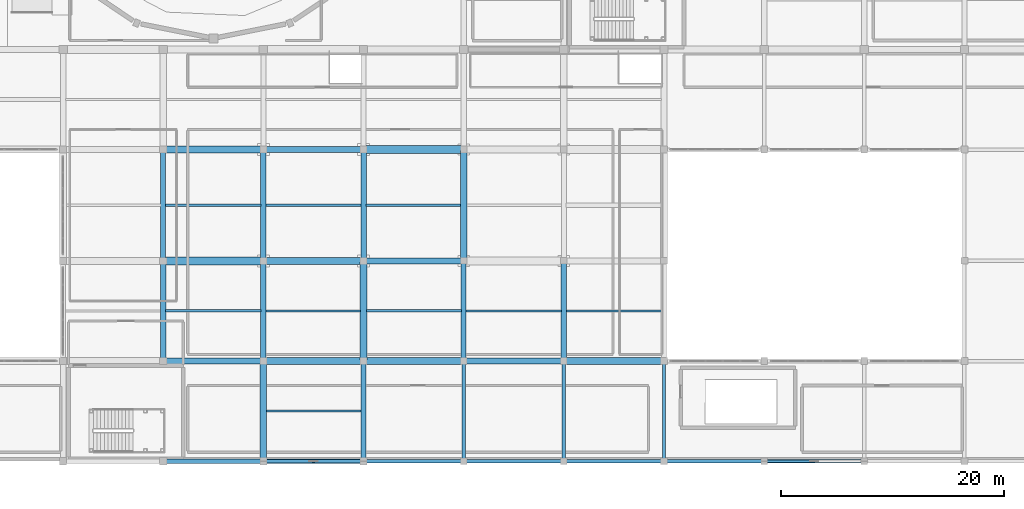
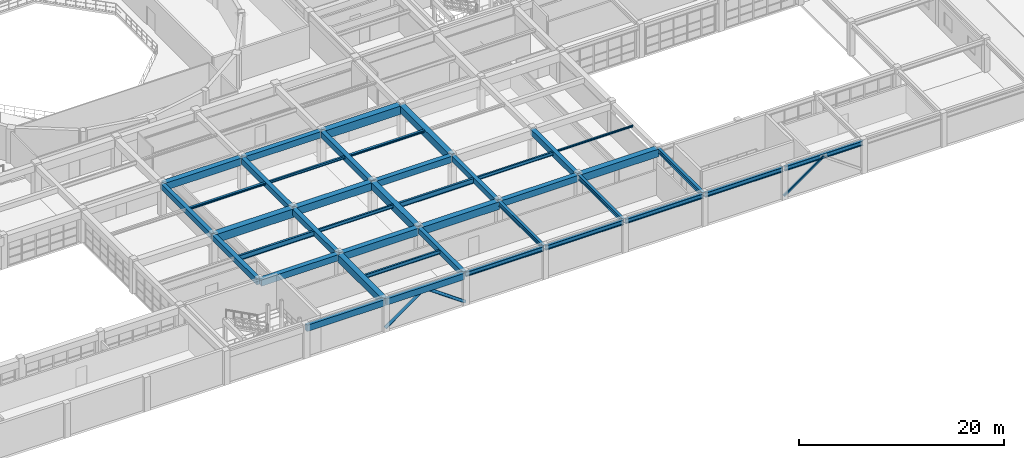
# One storey, part 40 of 130: 41 beams, 3 members.
"""IFC4 building model written with IfcOpenShell, lengths in metres."""

from ifc_helpers import new_model, si_unit, direction, frame, origin, origin_2d, place, context, subcontext, project, spatial, rectangle, hollow_rectangle, hollow_circle, i_section, extrude, material, material_profile, profile_set, type_object, element, save


model = new_model("IFC4")

# Units and contexts
model_context = context("Model", 3, precision=1e-05, world=origin(), true_north=direction((0.0, 1.0)))
body_context = subcontext(model_context, "Body", "Model", "MODEL_VIEW")
ifc_project = project(units=[si_unit("LENGTHUNIT", "METRE"), si_unit("AREAUNIT", "SQUARE_METRE"), si_unit("VOLUMEUNIT", "CUBIC_METRE"), si_unit("PLANEANGLEUNIT", "RADIAN"), si_unit("MASSUNIT", "GRAM", prefix="KILO")], contexts=[model_context])

# Site, building, storey
site_placement = place(None, origin())
site = spatial("IfcSite", under=ifc_project, at=site_placement, CompositionType="ELEMENT")
building_placement = place(site_placement, origin())
building = spatial("IfcBuilding", under=site, at=building_placement, Name="Miravela Opera House", CompositionType="ELEMENT")
storey_placement = place(building_placement, frame((0.0, 0.0, 9.52001953125)))
storey = spatial("IfcBuildingStorey", under=building, at=storey_placement, Name="L02", CompositionType="ELEMENT", Elevation=9.52001953125)

# Beams
ifc_material_1 = material(Name="Concrete C35/45", Category="concrete")
ifc_material_profile_1 = material_profile(ifc_material_1, rectangle(XDim=0.449951171875, YDim=0.64990234375, at=origin_2d()), Name="RC-BM-450X650")
ifc_profile_set_1 = profile_set([ifc_material_profile_1])
beam_type_1 = type_object("IfcBeamType", Name="STR-BM-RC450X650", PredefinedType="BEAM", material=ifc_profile_set_1)
beam_1_placement = place(storey_placement, frame((72.0, 18.080078125, 3.514892578125), z_axis=(0.0, 1.0, 0.0), x_axis=(-1.0, 0.0, 0.0)))
element("IfcBeam", 1, at=beam_1_placement, inside=storey, type_object=beam_type_1, Name="Floor Girder L02 9/C-D", PredefinedType="BEAM", context=body_context, shape_type="SweptSolid", body=[
    extrude(rectangle(XDim=0.449951171875, YDim=0.64990234375, at=origin_2d()), origin(), (0.0, 0.0, 1.0), 9.83984375),
])
for number, where, z_axis, x_axis, name in (
    (2, (90.0, 0.080078125, 3.514892578125), (0.0, 1.0, 0.0), (-1.0, 0.0, 0.0), "Floor Girder L02 11/A-B"),
    (3, (99.0, 9.080078125, 3.48486328125), (0.0, 1.0, 0.0), (-1.0, 0.0, 0.0), "Floor Girder L02 12/B-C"),
):
    element("IfcBeam", number, at=place(storey_placement, frame(where, z_axis=z_axis, x_axis=x_axis)), inside=storey, type_object=beam_type_1, Name=name, PredefinedType="BEAM", context=body_context, shape_type="SweptSolid", body=[
        extrude(rectangle(XDim=0.449951171875, YDim=0.64990234375, at=origin_2d()), origin(), (0.0, 0.0, 1.0), 8.83984375),
    ])
ifc_material_profile_2 = material_profile(ifc_material_1, rectangle(XDim=0.47998046875, YDim=0.679931640625, at=origin_2d()), Name="RC-BM-480X680")
ifc_profile_set_2 = profile_set([ifc_material_profile_2])
beam_type_2 = type_object("IfcBeamType", Name="STR-BM-RC480X680", PredefinedType="BEAM", material=ifc_profile_set_2)
beam_2_placement = place(storey_placement, frame((72.0, 9.080078125, 3.5), z_axis=(0.0, 1.0, 0.0), x_axis=(-1.0, 0.0, 0.0)))
element("IfcBeam", 4, at=beam_2_placement, inside=storey, type_object=beam_type_2, Name="Floor Girder L02 9/B-C", PredefinedType="BEAM", context=body_context, shape_type="SweptSolid", body=[
    extrude(rectangle(XDim=0.47998046875, YDim=0.679931640625, at=origin_2d()), origin(), (0.0, 0.0, 1.0), 8.83984375),
])
beam_3_placement = place(storey_placement, frame((81.0, 18.080078125, 3.5), z_axis=(0.0, 1.0, 0.0), x_axis=(-1.0, 0.0, 0.0)))
element("IfcBeam", 5, at=beam_3_placement, inside=storey, type_object=beam_type_2, Name="Floor Girder L02 10/C-D", PredefinedType="BEAM", context=body_context, shape_type="SweptSolid", body=[
    extrude(rectangle(XDim=0.47998046875, YDim=0.679931640625, at=origin_2d()), origin(), (0.0, 0.0, 1.0), 9.83984375),
])
beam_4_placement = place(storey_placement, frame((108.0, 9.080078125, 3.469970703125), z_axis=(0.0, 1.0, 0.0), x_axis=(-1.0, 0.0, 0.0)))
element("IfcBeam", 6, at=beam_4_placement, inside=storey, type_object=beam_type_2, Name="Floor Girder L02 13/B-C", PredefinedType="BEAM", context=body_context, shape_type="SweptSolid", body=[
    extrude(rectangle(XDim=0.47998046875, YDim=0.679931640625, at=origin_2d()), origin(), (0.0, 0.0, 1.0), 8.83984375),
])
ifc_material_profile_3 = material_profile(ifc_material_1, rectangle(XDim=0.5, YDim=0.699951171875, at=origin_2d()), Name="RC-BM-500X700")
ifc_profile_set_3 = profile_set([ifc_material_profile_3])
beam_type_3 = type_object("IfcBeamType", Name="STR-BM-RC500X700", PredefinedType="BEAM", material=ifc_profile_set_3)
beam_5_placement = place(storey_placement, frame((81.0, 9.080078125, 3.489990234375), z_axis=(0.0, 1.0, 0.0), x_axis=(-1.0, 0.0, 0.0)))
element("IfcBeam", 7, at=beam_5_placement, inside=storey, type_object=beam_type_3, Name="Floor Girder L02 10/B-C", PredefinedType="BEAM", context=body_context, shape_type="SweptSolid", body=[
    extrude(rectangle(XDim=0.5, YDim=0.699951171875, at=origin_2d()), origin(), (0.0, 0.0, 1.0), 8.83984375),
])
beam_6_placement = place(storey_placement, frame((90.0, 18.080078125, 3.489990234375), z_axis=(0.0, 1.0, 0.0), x_axis=(-1.0, 0.0, 0.0)))
element("IfcBeam", 8, at=beam_6_placement, inside=storey, type_object=beam_type_3, Name="Floor Girder L02 11/C-D", PredefinedType="BEAM", context=body_context, shape_type="SweptSolid", body=[
    extrude(rectangle(XDim=0.5, YDim=0.699951171875, at=origin_2d()), origin(), (0.0, 0.0, 1.0), 9.83984375),
])
ifc_material_profile_4 = material_profile(ifc_material_1, rectangle(XDim=0.550048828125, YDim=0.75, at=origin_2d()), Name="RC-BM-550X750")
ifc_profile_set_4 = profile_set([ifc_material_profile_4])
beam_type_4 = type_object("IfcBeamType", Name="STR-BM-RC550X750", PredefinedType="BEAM", material=ifc_profile_set_4)
for number, where, z_axis, x_axis, name in (
    (9, (72.080078125, 9.0, 3.465087890625), (1.0, 0.0, 0.0), (0.0, 1.0, 0.0), "Floor Girder L02 9-10/B"),
    (10, (81.080078125, 28.0, 3.465087890625), (1.0, 0.0, 0.0), (0.0, 1.0, 0.0), "Floor Girder L02 10-11/D"),
    (11, (90.080078125, 18.0, 3.43505859375), (1.0, 0.0, 0.0), (0.0, 1.0, 0.0), "Floor Girder L02 11-12/C"),
    (12, (99.080078125, 9.0, 3.43505859375), (1.0, 0.0, 0.0), (0.0, 1.0, 0.0), "Floor Girder L02 12-13/B"),
):
    element("IfcBeam", number, at=place(storey_placement, frame(where, z_axis=z_axis, x_axis=x_axis)), inside=storey, type_object=beam_type_4, Name=name, PredefinedType="BEAM", context=body_context, shape_type="SweptSolid", body=[
        extrude(rectangle(XDim=0.550048828125, YDim=0.75, at=origin_2d()), origin(), (0.0, 0.0, 1.0), 8.83984375),
    ])
ifc_material_2 = material(Name="Concrete C40/50", Category="concrete")
ifc_material_profile_5 = material_profile(ifc_material_2, rectangle(XDim=0.60009765625, YDim=0.85009765625, at=origin_2d()), Name="RC-BM-600X850")
ifc_profile_set_5 = profile_set([ifc_material_profile_5])
beam_type_5 = type_object("IfcBeamType", Name="STR-BM-RC600X850", PredefinedType="BEAM", material=ifc_profile_set_5)
for number, where, z_axis, x_axis, name in (
    (13, (72.080078125, 28.0, 3.4150390625), (1.0, 0.0, 0.0), (0.0, 1.0, 0.0), "Floor Girder L02 9-10/D"),
    (14, (81.080078125, 9.0, 3.4150390625), (1.0, 0.0, 0.0), (0.0, 1.0, 0.0), "Floor Girder L02 10-11/B"),
    (15, (81.0, 0.080078125, 3.4150390625), (0.0, 1.0, 0.0), (-1.0, 0.0, 0.0), "Floor Girder L02 10/A-B"),
    (16, (90.0, 9.080078125, 3.4150390625), (0.0, 1.0, 0.0), (-1.0, 0.0, 0.0), "Floor Girder L02 11/B-C"),
):
    element("IfcBeam", number, at=place(storey_placement, frame(where, z_axis=z_axis, x_axis=x_axis)), inside=storey, type_object=beam_type_5, Name=name, PredefinedType="BEAM", context=body_context, shape_type="SweptSolid", body=[
        extrude(rectangle(XDim=0.60009765625, YDim=0.85009765625, at=origin_2d()), origin(), (0.0, 0.0, 1.0), 8.83984375),
    ])
beam_7_placement = place(storey_placement, frame((99.0, 18.080078125, 3.385009765625), z_axis=(0.0, 1.0, 0.0), x_axis=(-1.0, 0.0, 0.0)))
element("IfcBeam", 17, at=beam_7_placement, inside=storey, type_object=beam_type_5, Name="Floor Girder L02 12/C-D", PredefinedType="BEAM", context=body_context, shape_type="SweptSolid", body=[
    extrude(rectangle(XDim=0.60009765625, YDim=0.85009765625, at=origin_2d()), origin(), (0.0, 0.0, 1.0), 9.83984375),
])
ifc_material_profile_6 = material_profile(ifc_material_2, rectangle(XDim=0.64990234375, YDim=0.89990234375, at=origin_2d()), Name="RC-BM-650X900")
ifc_profile_set_6 = profile_set([ifc_material_profile_6])
beam_type_6 = type_object("IfcBeamType", Name="STR-BM-RC650X900", PredefinedType="BEAM", material=ifc_profile_set_6)
for number, where, z_axis, x_axis, name in (
    (18, (81.080078125, 18.0, 3.389892578125), (1.0, 0.0, 0.0), (0.0, 1.0, 0.0), "Floor Girder L02 10-11/C"),
    (19, (90.080078125, 9.0, 3.35986328125), (1.0, 0.0, 0.0), (0.0, 1.0, 0.0), "Floor Girder L02 11-12/B"),
    (20, (108.080078125, 9.0, 3.35986328125), (1.0, 0.0, 0.0), (0.0, 1.0, 0.0), "Floor Girder L02 13-14/B"),
):
    element("IfcBeam", number, at=place(storey_placement, frame(where, z_axis=z_axis, x_axis=x_axis)), inside=storey, type_object=beam_type_6, Name=name, PredefinedType="BEAM", context=body_context, shape_type="SweptSolid", body=[
        extrude(rectangle(XDim=0.64990234375, YDim=0.89990234375, at=origin_2d()), origin(), (0.0, 0.0, 1.0), 8.83984375),
    ])
ifc_material_profile_7 = material_profile(ifc_material_2, rectangle(XDim=0.699951171875, YDim=1.0, at=origin_2d()), Name="RC-BM-700X1000")
ifc_profile_set_7 = profile_set([ifc_material_profile_7])
beam_type_7 = type_object("IfcBeamType", Name="STR-BM-RC700X1000", PredefinedType="BEAM", material=ifc_profile_set_7)
for number, where, z_axis, x_axis, name in (
    (21, (72.080078125, 18.0, 3.340087890625), (1.0, 0.0, 0.0), (0.0, 1.0, 0.0), "Floor Girder L02 9-10/C"),
    (22, (90.080078125, 28.0, 3.31005859375), (1.0, 0.0, 0.0), (0.0, 1.0, 0.0), "Floor Girder L02 11-12/D"),
):
    element("IfcBeam", number, at=place(storey_placement, frame(where, z_axis=z_axis, x_axis=x_axis)), inside=storey, type_object=beam_type_7, Name=name, PredefinedType="BEAM", context=body_context, shape_type="SweptSolid", body=[
        extrude(rectangle(XDim=0.699951171875, YDim=1.0, at=origin_2d()), origin(), (0.0, 0.0, 1.0), 8.83984375),
    ])
ifc_material_3 = material(Name="Structural steel ASTM A992 Gr. 50", Category="steel")
ifc_material_profile_8 = material_profile(ifc_material_3, i_section(OverallWidth=0.1650390625, OverallDepth=0.200927734375, WebThickness=0.006103515625, FlangeThickness=0.01025390625, FilletRadius=0.010009765625, at=origin_2d()), Name="W200X36")
ifc_profile_set_8 = profile_set([ifc_material_profile_8])
beam_type_8 = type_object("IfcBeamType", Name="STR-BM-W200X36", PredefinedType="LINTEL", material=ifc_profile_set_8)
beam_8_placement = place(storey_placement, frame((108.22509765625, 13.5, 3.70947265625), z_axis=(1.0, 0.0, 0.0), x_axis=(0.0, 1.0, 0.0)))
element("IfcBeam", 23, at=beam_8_placement, inside=storey, type_object=beam_type_8, Name="Secondary Floor Joist L02 13-14/B-C", PredefinedType="LINTEL", context=body_context, shape_type="SweptSolid", body=[
    extrude(i_section(OverallWidth=0.1650390625, OverallDepth=0.200927734375, WebThickness=0.006103515625, FlangeThickness=0.01025390625, FilletRadius=0.010009765625, at=origin_2d()), origin(), (0.0, 0.0, 1.0), 8.56494140625),
])
ifc_material_profile_9 = material_profile(ifc_material_3, i_section(OverallWidth=0.25390625, OverallDepth=0.2529296875, WebThickness=0.008544921875, FlangeThickness=0.01416015625, FilletRadius=0.011962890625, at=origin_2d()), Name="W250X73")
ifc_profile_set_9 = profile_set([ifc_material_profile_9])
beam_type_9 = type_object("IfcBeamType", Name="STR-BM-W250X73", PredefinedType="JOIST", material=ifc_profile_set_9)
beam_9_placement = place(storey_placement, frame((72.2099609375, 23.0, 3.71337890625), z_axis=(1.0, 0.0, 0.0), x_axis=(0.0, 1.0, 0.0)))
element("IfcBeam", 24, at=beam_9_placement, inside=storey, type_object=beam_type_9, Name="Secondary Floor Joist L02 9-10/C-D", PredefinedType="JOIST", context=body_context, shape_type="SweptSolid", body=[
    extrude(i_section(OverallWidth=0.25390625, OverallDepth=0.2529296875, WebThickness=0.008544921875, FlangeThickness=0.01416015625, FilletRadius=0.011962890625, at=origin_2d()), origin(), (0.0, 0.0, 1.0), 8.56494140625),
])
beam_10_placement = place(storey_placement, frame((90.235107421875, 23.0, 3.68359375), z_axis=(1.0, 0.0, 0.0), x_axis=(0.0, 1.0, 0.0)))
element("IfcBeam", 25, at=beam_10_placement, inside=storey, type_object=beam_type_9, Name="Secondary Floor Joist L02 11-12/C-D", PredefinedType="JOIST", context=body_context, shape_type="SweptSolid", body=[
    extrude(i_section(OverallWidth=0.25390625, OverallDepth=0.2529296875, WebThickness=0.008544921875, FlangeThickness=0.01416015625, FilletRadius=0.011962890625, at=origin_2d()), origin(), (0.0, 0.0, 1.0), 8.47998046875),
])
ifc_material_profile_10 = material_profile(ifc_material_3, i_section(OverallWidth=0.202880859375, OverallDepth=0.302978515625, WebThickness=0.007568359375, FlangeThickness=0.01318359375, FilletRadius=0.012939453125, at=origin_2d()), Name="W310X60")
ifc_profile_set_10 = profile_set([ifc_material_profile_10])
beam_type_10 = type_object("IfcBeamType", Name="STR-BM-W310X60", PredefinedType="JOIST", material=ifc_profile_set_10)
beam_11_placement = place(storey_placement, frame((81.22509765625, 23.0, 3.6884765625), z_axis=(1.0, 0.0, 0.0), x_axis=(0.0, 1.0, 0.0)))
element("IfcBeam", 26, at=beam_11_placement, inside=storey, type_object=beam_type_10, Name="Secondary Floor Joist L02 10-11/C-D", PredefinedType="JOIST", context=body_context, shape_type="SweptSolid", body=[
    extrude(i_section(OverallWidth=0.202880859375, OverallDepth=0.302978515625, WebThickness=0.007568359375, FlangeThickness=0.01318359375, FilletRadius=0.012939453125, at=origin_2d()), origin(), (0.0, 0.0, 1.0), 8.539794921875),
])
ifc_material_profile_11 = material_profile(ifc_material_3, i_section(OverallWidth=0.180908203125, OverallDepth=0.4169921875, WebThickness=0.010986328125, FlangeThickness=0.018310546875, FilletRadius=0.013916015625, at=origin_2d()), Name="W410X85")
ifc_profile_set_11 = profile_set([ifc_material_profile_11])
beam_type_11 = type_object("IfcBeamType", Name="STR-BM-W410X85", PredefinedType="JOIST", material=ifc_profile_set_11)
beam_12_placement = place(storey_placement, frame((81.235107421875, 13.5, 3.631591796875), z_axis=(1.0, 0.0, 0.0), x_axis=(0.0, 1.0, 0.0)))
element("IfcBeam", 27, at=beam_12_placement, inside=storey, type_object=beam_type_11, Name="Secondary Floor Joist L02 10-11/B-C", PredefinedType="JOIST", context=body_context, shape_type="SweptSolid", body=[
    extrude(i_section(OverallWidth=0.180908203125, OverallDepth=0.4169921875, WebThickness=0.010986328125, FlangeThickness=0.018310546875, FilletRadius=0.013916015625, at=origin_2d()), origin(), (0.0, 0.0, 1.0), 8.47998046875),
])
beam_13_placement = place(storey_placement, frame((99.2099609375, 13.5, 3.6015625), z_axis=(1.0, 0.0, 0.0), x_axis=(0.0, 1.0, 0.0)))
element("IfcBeam", 28, at=beam_13_placement, inside=storey, type_object=beam_type_11, Name="Secondary Floor Joist L02 12-13/B-C", PredefinedType="JOIST", context=body_context, shape_type="SweptSolid", body=[
    extrude(i_section(OverallWidth=0.180908203125, OverallDepth=0.4169921875, WebThickness=0.010986328125, FlangeThickness=0.018310546875, FilletRadius=0.013916015625, at=origin_2d()), origin(), (0.0, 0.0, 1.0), 8.56494140625),
])
ifc_material_profile_12 = material_profile(ifc_material_3, i_section(OverallWidth=0.19091796875, OverallDepth=0.4599609375, WebThickness=0.010009765625, FlangeThickness=0.01611328125, FilletRadius=0.014892578125, at=origin_2d()), Name="W460X82")
ifc_profile_set_12 = profile_set([ifc_material_profile_12])
beam_type_12 = type_object("IfcBeamType", Name="STR-BM-W460X82", PredefinedType="JOIST", material=ifc_profile_set_12)
beam_14_placement = place(storey_placement, frame((81.284912109375, 4.5, 3.60986328125), z_axis=(1.0, 0.0, 0.0), x_axis=(0.0, 1.0, 0.0)))
element("IfcBeam", 29, at=beam_14_placement, inside=storey, type_object=beam_type_12, Name="Secondary Floor Joist L02 10-11/A-B", PredefinedType="JOIST", context=body_context, shape_type="SweptSolid", body=[
    extrude(i_section(OverallWidth=0.19091796875, OverallDepth=0.4599609375, WebThickness=0.010009765625, FlangeThickness=0.01611328125, FilletRadius=0.014892578125, at=origin_2d()), origin(), (0.0, 0.0, 1.0), 8.505126953125),
])
ifc_material_profile_13 = material_profile(ifc_material_3, i_section(OverallWidth=0.31201171875, OverallDepth=0.54296875, WebThickness=0.0126953125, FlangeThickness=0.020263671875, FilletRadius=0.01611328125, at=origin_2d()), Name="W530X150")
ifc_profile_set_13 = profile_set([ifc_material_profile_13])
beam_type_13 = type_object("IfcBeamType", Name="STR-BM-W530X150", PredefinedType="BEAM", material=ifc_profile_set_13)
for number, where, z_axis, x_axis, name in (
    (30, (90.080078125, 0.0, 3.568359375), (1.0, 0.0, 0.0), (0.0, 1.0, 0.0), "Roof Eave Girder ROOF-V4-SE S1"),
    (31, (99.080078125, 0.0, 3.568359375), (1.0, 0.0, 0.0), (0.0, 1.0, 0.0), "Roof Eave Girder ROOF-V4-SE S2"),
    (32, (108.080078125, 0.0, 3.568359375), (1.0, 0.0, 0.0), (0.0, 1.0, 0.0), "Roof Eave Girder ROOF-V4-SE S3"),
    (33, (117.080078125, 0.0, 3.568359375), (1.0, 0.0, 0.0), (0.0, 1.0, 0.0), "Roof Eave Girder ROOF-V4-SE S4"),
    (34, (126.080078125, 0.0, 3.568359375), (1.0, 0.0, 0.0), (0.0, 1.0, 0.0), "Roof Eave Girder ROOF-V4-SE S5"),
    (35, (99.0, 0.080078125, 3.568359375), (0.0, 1.0, 0.0), (-1.0, 0.0, 0.0), "Roof King-Post Transverse Tie Girder ROOF-V4-SE T1.1"),
    (36, (108.0, 0.080078125, 3.568359375), (0.0, 1.0, 0.0), (-1.0, 0.0, 0.0), "Roof King-Post Transverse Tie Girder ROOF-V4-SE T2.1"),
    (37, (117.0, 0.080078125, 3.568359375), (0.0, 1.0, 0.0), (-1.0, 0.0, 0.0), "Roof King-Post Transverse Tie Girder ROOF-V4-SE T3.1"),
):
    element("IfcBeam", number, at=place(storey_placement, frame(where, z_axis=z_axis, x_axis=x_axis)), inside=storey, type_object=beam_type_13, Name=name, PredefinedType="BEAM", context=body_context, shape_type="SweptSolid", body=[
        extrude(i_section(OverallWidth=0.31201171875, OverallDepth=0.54296875, WebThickness=0.0126953125, FlangeThickness=0.020263671875, FilletRadius=0.01611328125, at=origin_2d()), origin(), (0.0, 0.0, 1.0), 8.83984375),
    ])
ifc_material_profile_14 = material_profile(ifc_material_3, i_section(OverallWidth=0.22802734375, OverallDepth=0.60791015625, WebThickness=0.01123046875, FlangeThickness=0.017333984375, FilletRadius=0.01611328125, at=origin_2d()), Name="W610X113")
ifc_profile_set_14 = profile_set([ifc_material_profile_14])
beam_type_14 = type_object("IfcBeamType", Name="STR-BM-W610X113", PredefinedType="BEAM", material=ifc_profile_set_14)
beam_15_placement = place(storey_placement, frame((72.22509765625, 13.5, 3.535888671875), z_axis=(1.0, 0.0, 0.0), x_axis=(0.0, 1.0, 0.0)))
element("IfcBeam", 38, at=beam_15_placement, inside=storey, type_object=beam_type_14, Name="Secondary Floor Joist L02 9-10/B-C", PredefinedType="BEAM", context=body_context, shape_type="SweptSolid", body=[
    extrude(i_section(OverallWidth=0.22802734375, OverallDepth=0.60791015625, WebThickness=0.01123046875, FlangeThickness=0.017333984375, FilletRadius=0.01611328125, at=origin_2d()), origin(), (0.0, 0.0, 1.0), 8.539794921875),
])
beam_16_placement = place(storey_placement, frame((90.284912109375, 13.5, 3.505859375), z_axis=(1.0, 0.0, 0.0), x_axis=(0.0, 1.0, 0.0)))
element("IfcBeam", 39, at=beam_16_placement, inside=storey, type_object=beam_type_14, Name="Secondary Floor Joist L02 11-12/B-C", PredefinedType="BEAM", context=body_context, shape_type="SweptSolid", body=[
    extrude(i_section(OverallWidth=0.22802734375, OverallDepth=0.60791015625, WebThickness=0.01123046875, FlangeThickness=0.017333984375, FilletRadius=0.01611328125, at=origin_2d()), origin(), (0.0, 0.0, 1.0), 8.505126953125),
])

# Members
ifc_material_4 = material(Name="Hollow structural steel ASTM A500 Gr. C", Category="steel")
ifc_material_profile_15 = material_profile(ifc_material_4, hollow_circle(Radius=0.177734375, WallThickness=0.011962890625, at=origin_2d()), Name="CHS356X12")
ifc_profile_set_15 = profile_set([ifc_material_profile_15])
member_type_1 = type_object("IfcMemberType", Name="STR-MEM-BRACE-CHS356", PredefinedType="BRACE", material=ifc_profile_set_15)
for number, where, z_axis, x_axis, name in (
    (40, (81.0, 0.0, 0.300048828125), (0.81581566002, 0.0, 0.57831203417), (0.0, 1.0, 0.0), "Concentric Braced Frame BF-S2 L02 Left Brace"),
    (41, (90.0, 0.0, 0.300048828125), (-0.81581566002, 0.0, 0.57831203417), (0.0, -1.0, 0.0), "Concentric Braced Frame BF-S2 L02 Right Brace"),
):
    element("IfcMember", number, at=place(storey_placement, frame(where, z_axis=z_axis, x_axis=x_axis)), inside=storey, type_object=member_type_1, Name=name, PredefinedType="BRACE", context=body_context, shape_type="SweptSolid", body=[
        extrude(hollow_circle(Radius=0.177734375, WallThickness=0.011962890625, at=origin_2d()), origin(), (0.0, 0.0, 1.0), 5.515869140625),
    ])
ifc_material_profile_16 = material_profile(ifc_material_4, hollow_rectangle(XDim=0.25, YDim=0.25, WallThickness=0.011962890625, InnerFilletRadius=0.011962890625, OuterFilletRadius=0.02392578125, at=origin_2d()), Name="HSS250X250X12")
ifc_profile_set_16 = profile_set([ifc_material_profile_16])
member_type_2 = type_object("IfcMemberType", Name="STR-MEM-FRAME-BR1", PredefinedType="BRACE", material=ifc_profile_set_16)
member_placement = place(storey_placement, frame((126.0, 0.0, 0.300048828125), z_axis=(0.81581566002, 0.0, 0.57831203417), x_axis=(0.0, 1.0, 0.0)))
element("IfcMember", 42, at=member_placement, inside=storey, type_object=member_type_2, Name="Concentric Braced Frame BF-S3 L02 Left Brace", PredefinedType="BRACE", context=body_context, shape_type="SweptSolid", body=[
    extrude(hollow_rectangle(XDim=0.25, YDim=0.25, WallThickness=0.011962890625, InnerFilletRadius=0.011962890625, OuterFilletRadius=0.02392578125, at=origin_2d()), origin(), (0.0, 0.0, 1.0), 5.515869140625),
])

# Beams
ifc_material_profile_17 = material_profile(ifc_material_1, rectangle(XDim=0.39990234375, YDim=0.75, at=origin_2d()), Name="RC-SPN-400X750")
ifc_profile_set_17 = profile_set([ifc_material_profile_17])
beam_type_15 = type_object("IfcBeamType", Name="STR-SPN-RC400X750", PredefinedType="SPANDREL", material=ifc_profile_set_17)
for number, where, z_axis, x_axis, name in (
    (43, (72.080078125, 0.0, 3.465087890625), (1.0, 0.0, 0.0), (0.0, 1.0, 0.0), "Floor Girder L02 9-10/A"),
    (44, (81.080078125, 0.0, 3.465087890625), (1.0, 0.0, 0.0), (0.0, 1.0, 0.0), "Floor Girder L02 10-11/A"),
):
    element("IfcBeam", number, at=place(storey_placement, frame(where, z_axis=z_axis, x_axis=x_axis)), inside=storey, type_object=beam_type_15, Name=name, PredefinedType="SPANDREL", context=body_context, shape_type="SweptSolid", body=[
        extrude(rectangle(XDim=0.39990234375, YDim=0.75, at=origin_2d()), origin(), (0.0, 0.0, 1.0), 8.83984375),
    ])

save(model, "model.ifc")
